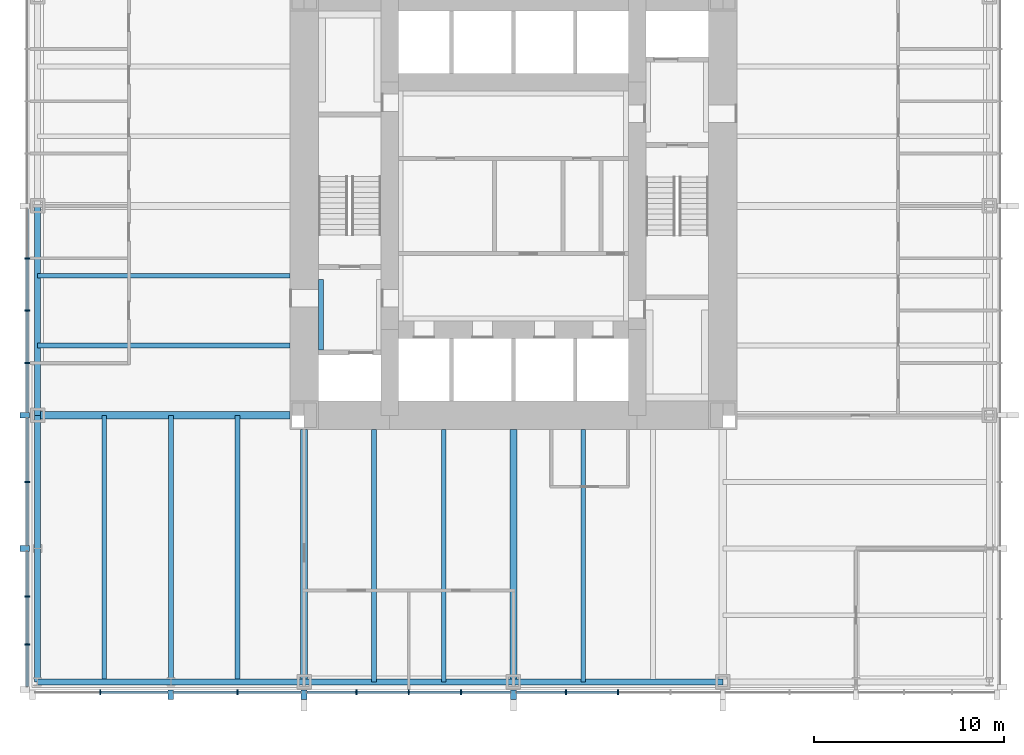
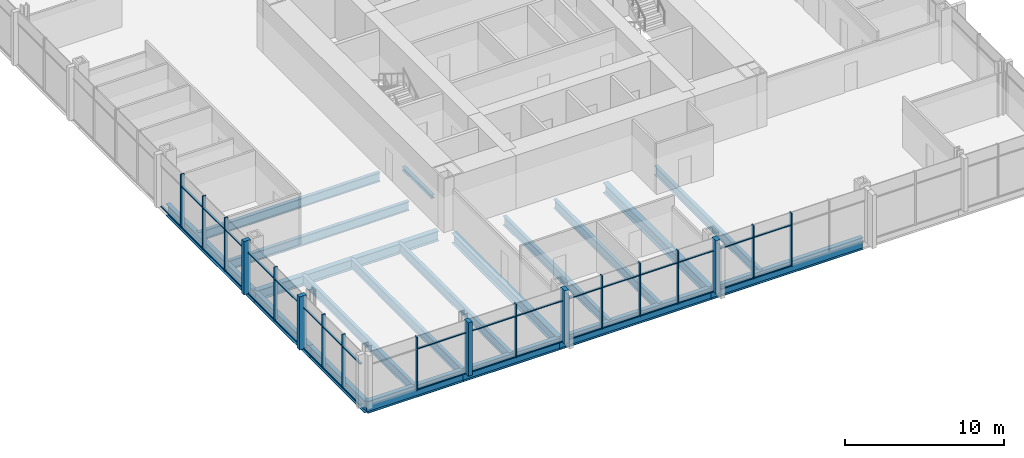
# One storey, part 2 of 13: 53 members, 19 beams, 2 elements without a shape of their own.
"""IFC4 building model written with IfcOpenShell, lengths in metres."""

from ifc_helpers import new_model, si_unit, direction, frame, origin, origin_2d, place, context, subcontext, project, spatial, rectangle, i_section, extrude, material, material_profile, profile_set, type_object, element, aggregate, save


model = new_model("IFC4")

# Units and contexts
model_context = context("Model", 3, precision=1e-05, world=origin(), true_north=direction((0.0, 1.0)))
body_context = subcontext(model_context, "Body", "Model", "MODEL_VIEW")
ifc_project = project(units=[si_unit("LENGTHUNIT", "METRE"), si_unit("AREAUNIT", "SQUARE_METRE"), si_unit("VOLUMEUNIT", "CUBIC_METRE"), si_unit("PLANEANGLEUNIT", "RADIAN"), si_unit("MASSUNIT", "GRAM", prefix="KILO")], contexts=[model_context])

# Site, building, storey
site_placement = place(None, origin())
site = spatial("IfcSite", under=ifc_project, at=site_placement, CompositionType="ELEMENT")
building_placement = place(site_placement, origin())
building = spatial("IfcBuilding", under=site, at=building_placement, Name="Trevanion Tower", CompositionType="ELEMENT")
storey_placement = place(building_placement, frame((0.0, 0.0, 81.60009765625)))
storey = spatial("IfcBuildingStorey", under=building, at=storey_placement, Name="L19", CompositionType="ELEMENT", Elevation=81.60009765625)

# Beams
ifc_material_1 = material(Name="Steel ASTM A992 Grade 50", Category="steel")
ifc_material_profile_1 = material_profile(ifc_material_1, i_section(OverallWidth=0.25390625, OverallDepth=0.700927734375, WebThickness=0.015380859375, FlangeThickness=0.02783203125, at=origin_2d()), Name="W27X129")
ifc_profile_set_1 = profile_set([ifc_material_profile_1], Name="Steel ASTM A992 Grade 50")
beam_type_1 = type_object("IfcBeamType", Name="B3 W27X129", PredefinedType="BEAM", material=ifc_profile_set_1)
for number, where, z_axis, x_axis, name in (
    (1, (-11.75, -3.666748046875, -0.54052734375), (-1.0, 0.0, 0.0), (0.0, -1.0, 0.0), "B3 L19"),
    (2, (-11.75, -7.333251953125, -0.54052734375), (-1.0, 0.0, 0.0), (0.0, -1.0, 0.0), "B3 L19"),
    (3, (-7.333251953125, -11.75, -0.54052734375), (0.0, -1.0, 0.0), (1.0, 0.0, 0.0), "B3 L19"),
    (4, (-3.666748046875, -11.75, -0.54052734375), (0.0, -1.0, 0.0), (1.0, 0.0, 0.0), "B3 L19"),
    (5, (3.666748046875, -11.75, -0.54052734375), (0.0, -1.0, 0.0), (1.0, 0.0, 0.0), "B3 L19"),
):
    element("IfcBeam", number, at=place(storey_placement, frame(where, z_axis=z_axis, x_axis=x_axis)), inside=storey, type_object=beam_type_1, Name=name, PredefinedType="BEAM", context=body_context, shape_type="SweptSolid", body=[
        extrude(i_section(OverallWidth=0.25390625, OverallDepth=0.700927734375, WebThickness=0.015380859375, FlangeThickness=0.02783203125, at=origin_2d()), origin(), (0.0, 0.0, 1.0), 13.25),
    ])
ifc_material_2 = material(Name="Steel ASTM A992 Grade 50", Category="steel")
ifc_material_profile_2 = material_profile(ifc_material_2, i_section(OverallWidth=0.256591796875, OverallDepth=0.693359375, WebThickness=0.014404296875, FlangeThickness=0.023681640625, at=origin_2d()), Name="W27X114")
ifc_profile_set_2 = profile_set([ifc_material_profile_2], Name="Steel ASTM A992 Grade 50")
beam_type_2 = type_object("IfcBeamType", Name="B4 W27X114", PredefinedType="BEAM", material=ifc_profile_set_2)
for number, where, z_axis, x_axis, name in (
    (6, (-14.5, -11.0, -0.536865234375), (0.0, -1.0, 0.0), (1.0, 0.0, 0.0), "B4 L19"),
    (7, (-18.0, -11.0, -0.536865234375), (0.0, -1.0, 0.0), (1.0, 0.0, 0.0), "B4 L19"),
    (8, (-21.5, -11.0, -0.536865234375), (0.0, -1.0, 0.0), (1.0, 0.0, 0.0), "B4 L19"),
):
    element("IfcBeam", number, at=place(storey_placement, frame(where, z_axis=z_axis, x_axis=x_axis)), inside=storey, type_object=beam_type_2, Name=name, PredefinedType="BEAM", context=body_context, shape_type="SweptSolid", body=[
        extrude(i_section(OverallWidth=0.256591796875, OverallDepth=0.693359375, WebThickness=0.014404296875, FlangeThickness=0.023681640625, at=origin_2d()), origin(), (0.0, 0.0, 1.0), 14.0),
    ])

# Curtain wall, members
ifc_material_3 = material(Name="Aluminium and glass", Category="aluminium")
curtain_wall_type = type_object("IfcCurtainWallType", Name="CW1 curtain wall", PredefinedType="USERDEFINED", material=ifc_material_3)
curtain_wall_1_placement = place(storey_placement, origin())
curtain_wall_1 = element("IfcCurtainWall", 9, at=curtain_wall_1_placement, inside=storey, type_object=curtain_wall_type, Name="CW1 L19 2", ObjectType="UNITISED CURTAIN WALL", PredefinedType="USERDEFINED")
ifc_material_4 = material(Name="Aluminium extrusion, anodised bronze", Category="aluminium")
ifc_material_profile_3 = material_profile(ifc_material_4, rectangle(XDim=0.074951171875, YDim=0.25, at=origin_2d()), Name="CW1 mullion")
ifc_profile_set_3 = profile_set([ifc_material_profile_3], Name="Aluminium extrusion, anodised bronze")
member_type_1 = type_object("IfcMemberType", Name="CW1 mullion", PredefinedType="MULLION", material=ifc_profile_set_3)
member_1_placement = place(storey_placement, frame((-25.550048828125, -2.75, -0.190185546875), z_axis=(0.0, 0.0, 1.0), x_axis=(0.0, -1.0, 0.0)))
member_1 = element("IfcMember", 10, at=member_1_placement, type_object=member_type_1, Name="CW1 mullion 10", PredefinedType="MULLION", context=body_context, shape_type="SweptSolid", body=[
    extrude(rectangle(XDim=0.074951171875, YDim=0.25, at=origin_2d()), origin(), (0.0, 0.0, 1.0), 4.10009765625),
])
member_2_placement = place(storey_placement, frame((-25.550048828125, -5.5, -0.190185546875), z_axis=(0.0, 0.0, 1.0), x_axis=(0.0, -1.0, 0.0)))
member_2 = element("IfcMember", 11, at=member_2_placement, type_object=member_type_1, Name="CW1 mullion 11", PredefinedType="MULLION", context=body_context, shape_type="SweptSolid", body=[
    extrude(rectangle(XDim=0.074951171875, YDim=0.25, at=origin_2d()), origin(), (0.0, 0.0, 1.0), 4.10009765625),
])
member_3_placement = place(storey_placement, frame((-25.550048828125, -8.25, -0.190185546875), z_axis=(0.0, 0.0, 1.0), x_axis=(0.0, -1.0, 0.0)))
member_3 = element("IfcMember", 12, at=member_3_placement, type_object=member_type_1, Name="CW1 mullion 12", PredefinedType="MULLION", context=body_context, shape_type="SweptSolid", body=[
    extrude(rectangle(XDim=0.074951171875, YDim=0.25, at=origin_2d()), origin(), (0.0, 0.0, 1.0), 4.10009765625),
])
member_4_placement = place(storey_placement, frame((-25.550048828125, -14.5, -0.190185546875), z_axis=(0.0, 0.0, 1.0), x_axis=(0.0, -1.0, 0.0)))
member_4 = element("IfcMember", 13, at=member_4_placement, type_object=member_type_1, Name="CW1 mullion 14", PredefinedType="MULLION", context=body_context, shape_type="SweptSolid", body=[
    extrude(rectangle(XDim=0.074951171875, YDim=0.25, at=origin_2d()), origin(), (0.0, 0.0, 1.0), 4.10009765625),
])
member_5_placement = place(storey_placement, frame((-25.550048828125, -20.5166015625, -0.190185546875), z_axis=(0.0, 0.0, 1.0), x_axis=(0.0, -1.0, 0.0)))
member_5 = element("IfcMember", 14, at=member_5_placement, type_object=member_type_1, Name="CW1 mullion 16", PredefinedType="MULLION", context=body_context, shape_type="SweptSolid", body=[
    extrude(rectangle(XDim=0.074951171875, YDim=0.25, at=origin_2d()), origin(), (0.0, 0.0, 1.0), 4.10009765625),
])
member_6_placement = place(storey_placement, frame((-25.550048828125, -23.033203125, -0.190185546875), z_axis=(0.0, 0.0, 1.0), x_axis=(0.0, -1.0, 0.0)))
member_6 = element("IfcMember", 15, at=member_6_placement, type_object=member_type_1, Name="CW1 mullion 17", PredefinedType="MULLION", context=body_context, shape_type="SweptSolid", body=[
    extrude(rectangle(XDim=0.074951171875, YDim=0.25, at=origin_2d()), origin(), (0.0, 0.0, 1.0), 4.10009765625),
])

curtain_wall_2_placement = place(storey_placement, origin())
curtain_wall_2 = element("IfcCurtainWall", 16, at=curtain_wall_2_placement, inside=storey, type_object=curtain_wall_type, Name="CW1 L19 3", ObjectType="UNITISED CURTAIN WALL", PredefinedType="USERDEFINED")
member_7_placement = place(storey_placement, frame((-21.7099609375, -25.550048828125, -0.190185546875), z_axis=(0.0, 0.0, 1.0), x_axis=(1.0, 0.0, 0.0)))
member_7 = element("IfcMember", 17, at=member_7_placement, type_object=member_type_1, Name="CW1 mullion 2", PredefinedType="MULLION", context=body_context, shape_type="SweptSolid", body=[
    extrude(rectangle(XDim=0.074951171875, YDim=0.25, at=origin_2d()), origin(), (0.0, 0.0, 1.0), 4.10009765625),
])
member_8_placement = place(storey_placement, frame((-14.5, -25.550048828125, -0.190185546875), z_axis=(0.0, 0.0, 1.0), x_axis=(1.0, 0.0, 0.0)))
member_8 = element("IfcMember", 18, at=member_8_placement, type_object=member_type_1, Name="CW1 mullion 4", PredefinedType="MULLION", context=body_context, shape_type="SweptSolid", body=[
    extrude(rectangle(XDim=0.074951171875, YDim=0.25, at=origin_2d()), origin(), (0.0, 0.0, 1.0), 4.10009765625),
])
member_9_placement = place(storey_placement, frame((-8.25, -25.550048828125, -0.190185546875), z_axis=(0.0, 0.0, 1.0), x_axis=(1.0, 0.0, 0.0)))
member_9 = element("IfcMember", 19, at=member_9_placement, type_object=member_type_1, Name="CW1 mullion 6", PredefinedType="MULLION", context=body_context, shape_type="SweptSolid", body=[
    extrude(rectangle(XDim=0.074951171875, YDim=0.25, at=origin_2d()), origin(), (0.0, 0.0, 1.0), 4.10009765625),
])
member_10_placement = place(storey_placement, frame((-5.5, -25.550048828125, -0.190185546875), z_axis=(0.0, 0.0, 1.0), x_axis=(1.0, 0.0, 0.0)))
member_10 = element("IfcMember", 20, at=member_10_placement, type_object=member_type_1, Name="CW1 mullion 7", PredefinedType="MULLION", context=body_context, shape_type="SweptSolid", body=[
    extrude(rectangle(XDim=0.074951171875, YDim=0.25, at=origin_2d()), origin(), (0.0, 0.0, 1.0), 4.10009765625),
])
member_11_placement = place(storey_placement, frame((-2.75, -25.550048828125, -0.190185546875), z_axis=(0.0, 0.0, 1.0), x_axis=(1.0, 0.0, 0.0)))
member_11 = element("IfcMember", 21, at=member_11_placement, type_object=member_type_1, Name="CW1 mullion 8", PredefinedType="MULLION", context=body_context, shape_type="SweptSolid", body=[
    extrude(rectangle(XDim=0.074951171875, YDim=0.25, at=origin_2d()), origin(), (0.0, 0.0, 1.0), 4.10009765625),
])
member_12_placement = place(storey_placement, frame((2.75, -25.550048828125, -0.190185546875), z_axis=(0.0, 0.0, 1.0), x_axis=(1.0, 0.0, 0.0)))
member_12 = element("IfcMember", 22, at=member_12_placement, type_object=member_type_1, Name="CW1 mullion 10", PredefinedType="MULLION", context=body_context, shape_type="SweptSolid", body=[
    extrude(rectangle(XDim=0.074951171875, YDim=0.25, at=origin_2d()), origin(), (0.0, 0.0, 1.0), 4.10009765625),
])
member_13_placement = place(storey_placement, frame((5.5, -25.550048828125, -0.190185546875), z_axis=(0.0, 0.0, 1.0), x_axis=(1.0, 0.0, 0.0)))
member_13 = element("IfcMember", 23, at=member_13_placement, type_object=member_type_1, Name="CW1 mullion 11", PredefinedType="MULLION", context=body_context, shape_type="SweptSolid", body=[
    extrude(rectangle(XDim=0.074951171875, YDim=0.25, at=origin_2d()), origin(), (0.0, 0.0, 1.0), 4.10009765625),
])

# Member
ifc_material_5 = material(Name="Aluminium extrusion, anodised bronze", Category="aluminium")
ifc_material_profile_4 = material_profile(ifc_material_5, rectangle(XDim=0.300048828125, YDim=0.5, at=origin_2d()), Name="CW1 pier mullion")
ifc_profile_set_4 = profile_set([ifc_material_profile_4], Name="Aluminium extrusion, anodised bronze")
member_type_2 = type_object("IfcMemberType", Name="CW1 pier mullion", PredefinedType="MULLION", material=ifc_profile_set_4)
member_14_placement = place(storey_placement, frame((-25.675048828125, -11.0, -0.190185546875), z_axis=(0.0, 0.0, 1.0), x_axis=(0.0, -1.0, 0.0)))
member_14 = element("IfcMember", 24, at=member_14_placement, type_object=member_type_2, Name="CW1 pier mullion 13", PredefinedType="MULLION", context=body_context, shape_type="SweptSolid", body=[
    extrude(rectangle(XDim=0.300048828125, YDim=0.5, at=origin_2d()), origin(), (0.0, 0.0, 1.0), 4.10009765625),
])

member_15_placement = place(storey_placement, frame((-25.675048828125, -18.0, -0.190185546875), z_axis=(0.0, 0.0, 1.0), x_axis=(0.0, -1.0, 0.0)))
member_15 = element("IfcMember", 25, at=member_15_placement, type_object=member_type_2, Name="CW1 pier mullion 15", PredefinedType="MULLION", context=body_context, shape_type="SweptSolid", body=[
    extrude(rectangle(XDim=0.300048828125, YDim=0.5, at=origin_2d()), origin(), (0.0, 0.0, 1.0), 4.10009765625),
])

member_16_placement = place(storey_placement, frame((-18.0, -25.675048828125, -0.190185546875), z_axis=(0.0, 0.0, 1.0), x_axis=(1.0, 0.0, 0.0)))
member_16 = element("IfcMember", 26, at=member_16_placement, type_object=member_type_2, Name="CW1 pier mullion 3", PredefinedType="MULLION", context=body_context, shape_type="SweptSolid", body=[
    extrude(rectangle(XDim=0.300048828125, YDim=0.5, at=origin_2d()), origin(), (0.0, 0.0, 1.0), 4.10009765625),
])

member_17_placement = place(storey_placement, frame((-11.0, -25.675048828125, -0.190185546875), z_axis=(0.0, 0.0, 1.0), x_axis=(1.0, 0.0, 0.0)))
member_17 = element("IfcMember", 27, at=member_17_placement, type_object=member_type_2, Name="CW1 pier mullion 5", PredefinedType="MULLION", context=body_context, shape_type="SweptSolid", body=[
    extrude(rectangle(XDim=0.300048828125, YDim=0.5, at=origin_2d()), origin(), (0.0, 0.0, 1.0), 4.10009765625),
])

member_18_placement = place(storey_placement, frame((0.0, -25.675048828125, -0.190185546875), z_axis=(0.0, 0.0, 1.0), x_axis=(1.0, 0.0, 0.0)))
member_18 = element("IfcMember", 28, at=member_18_placement, type_object=member_type_2, Name="CW1 pier mullion 9", PredefinedType="MULLION", context=body_context, shape_type="SweptSolid", body=[
    extrude(rectangle(XDim=0.300048828125, YDim=0.5, at=origin_2d()), origin(), (0.0, 0.0, 1.0), 4.10009765625),
])

ifc_material_6 = material(Name="Aluminium extrusion, anodised bronze", Category="aluminium")
ifc_material_profile_5 = material_profile(ifc_material_6, rectangle(XDim=0.14990234375, YDim=0.074951171875, at=origin_2d()), Name="CW1 transom")
ifc_profile_set_5 = profile_set([ifc_material_profile_5], Name="Aluminium extrusion, anodised bronze")
member_type_3 = type_object("IfcMemberType", Name="CW1 transom", PredefinedType="USERDEFINED", material=ifc_profile_set_5)
member_19_placement = place(storey_placement, frame((-25.550048828125, -0.14990234375, -0.152587890625), z_axis=(0.0, -1.0, 0.0), x_axis=(1.0, 0.0, 0.0)))
member_19 = element("IfcMember", 29, at=member_19_placement, type_object=member_type_3, Name="CW1 transom 9.1", ObjectType="TRANSOM", PredefinedType="USERDEFINED", context=body_context, shape_type="SweptSolid", body=[
    extrude(rectangle(XDim=0.14990234375, YDim=0.074951171875, at=origin_2d()), origin(), (0.0, 0.0, 1.0), 2.5625),
])

member_20_placement = place(storey_placement, frame((-25.550048828125, -2.78759765625, -0.152587890625), z_axis=(0.0, -1.0, 0.0), x_axis=(1.0, 0.0, 0.0)))
member_20 = element("IfcMember", 30, at=member_20_placement, type_object=member_type_3, Name="CW1 transom 10.1", ObjectType="TRANSOM", PredefinedType="USERDEFINED", context=body_context, shape_type="SweptSolid", body=[
    extrude(rectangle(XDim=0.14990234375, YDim=0.074951171875, at=origin_2d()), origin(), (0.0, 0.0, 1.0), 2.6748046875),
])

member_21_placement = place(storey_placement, frame((-25.550048828125, -2.78759765625, 2.9599609375), z_axis=(0.0, -1.0, 0.0), x_axis=(1.0, 0.0, 0.0)))
member_21 = element("IfcMember", 31, at=member_21_placement, type_object=member_type_3, Name="CW1 transom 10.2", ObjectType="TRANSOM", PredefinedType="USERDEFINED", context=body_context, shape_type="SweptSolid", body=[
    extrude(rectangle(XDim=0.14990234375, YDim=0.074951171875, at=origin_2d()), origin(), (0.0, 0.0, 1.0), 2.6748046875),
])

member_22_placement = place(storey_placement, frame((-25.550048828125, -5.53759765625, -0.152587890625), z_axis=(0.0, -1.0, 0.0), x_axis=(1.0, 0.0, 0.0)))
member_22 = element("IfcMember", 32, at=member_22_placement, type_object=member_type_3, Name="CW1 transom 11.1", ObjectType="TRANSOM", PredefinedType="USERDEFINED", context=body_context, shape_type="SweptSolid", body=[
    extrude(rectangle(XDim=0.14990234375, YDim=0.074951171875, at=origin_2d()), origin(), (0.0, 0.0, 1.0), 2.6748046875),
])

member_23_placement = place(storey_placement, frame((-25.550048828125, -5.53759765625, 2.9599609375), z_axis=(0.0, -1.0, 0.0), x_axis=(1.0, 0.0, 0.0)))
member_23 = element("IfcMember", 33, at=member_23_placement, type_object=member_type_3, Name="CW1 transom 11.2", ObjectType="TRANSOM", PredefinedType="USERDEFINED", context=body_context, shape_type="SweptSolid", body=[
    extrude(rectangle(XDim=0.14990234375, YDim=0.074951171875, at=origin_2d()), origin(), (0.0, 0.0, 1.0), 2.6748046875),
])

member_24_placement = place(storey_placement, frame((-25.550048828125, -8.28759765625, -0.152587890625), z_axis=(0.0, -1.0, 0.0), x_axis=(1.0, 0.0, 0.0)))
member_24 = element("IfcMember", 34, at=member_24_placement, type_object=member_type_3, Name="CW1 transom 12.1", ObjectType="TRANSOM", PredefinedType="USERDEFINED", context=body_context, shape_type="SweptSolid", body=[
    extrude(rectangle(XDim=0.14990234375, YDim=0.074951171875, at=origin_2d()), origin(), (0.0, 0.0, 1.0), 2.5625),
])

member_25_placement = place(storey_placement, frame((-25.550048828125, -8.28759765625, 2.9599609375), z_axis=(0.0, -1.0, 0.0), x_axis=(1.0, 0.0, 0.0)))
member_25 = element("IfcMember", 35, at=member_25_placement, type_object=member_type_3, Name="CW1 transom 12.2", ObjectType="TRANSOM", PredefinedType="USERDEFINED", context=body_context, shape_type="SweptSolid", body=[
    extrude(rectangle(XDim=0.14990234375, YDim=0.074951171875, at=origin_2d()), origin(), (0.0, 0.0, 1.0), 2.5625),
])

member_26_placement = place(storey_placement, frame((-25.550048828125, -11.14990234375, -0.152587890625), z_axis=(0.0, -1.0, 0.0), x_axis=(1.0, 0.0, 0.0)))
member_26 = element("IfcMember", 36, at=member_26_placement, type_object=member_type_3, Name="CW1 transom 13.1", ObjectType="TRANSOM", PredefinedType="USERDEFINED", context=body_context, shape_type="SweptSolid", body=[
    extrude(rectangle(XDim=0.14990234375, YDim=0.074951171875, at=origin_2d()), origin(), (0.0, 0.0, 1.0), 3.3125),
])

member_27_placement = place(storey_placement, frame((-25.550048828125, -11.14990234375, 2.9599609375), z_axis=(0.0, -1.0, 0.0), x_axis=(1.0, 0.0, 0.0)))
member_27 = element("IfcMember", 37, at=member_27_placement, type_object=member_type_3, Name="CW1 transom 13.2", ObjectType="TRANSOM", PredefinedType="USERDEFINED", context=body_context, shape_type="SweptSolid", body=[
    extrude(rectangle(XDim=0.14990234375, YDim=0.074951171875, at=origin_2d()), origin(), (0.0, 0.0, 1.0), 3.3125),
])

member_28_placement = place(storey_placement, frame((-25.550048828125, -14.53759765625, -0.152587890625), z_axis=(0.0, -1.0, 0.0), x_axis=(1.0, 0.0, 0.0)))
member_28 = element("IfcMember", 38, at=member_28_placement, type_object=member_type_3, Name="CW1 transom 14.1", ObjectType="TRANSOM", PredefinedType="USERDEFINED", context=body_context, shape_type="SweptSolid", body=[
    extrude(rectangle(XDim=0.14990234375, YDim=0.074951171875, at=origin_2d()), origin(), (0.0, 0.0, 1.0), 3.3125),
])

member_29_placement = place(storey_placement, frame((-25.550048828125, -14.53759765625, 2.9599609375), z_axis=(0.0, -1.0, 0.0), x_axis=(1.0, 0.0, 0.0)))
member_29 = element("IfcMember", 39, at=member_29_placement, type_object=member_type_3, Name="CW1 transom 14.2", ObjectType="TRANSOM", PredefinedType="USERDEFINED", context=body_context, shape_type="SweptSolid", body=[
    extrude(rectangle(XDim=0.14990234375, YDim=0.074951171875, at=origin_2d()), origin(), (0.0, 0.0, 1.0), 3.3125),
])

member_30_placement = place(storey_placement, frame((-25.550048828125, -18.14990234375, -0.152587890625), z_axis=(0.0, -1.0, 0.0), x_axis=(1.0, 0.0, 0.0)))
member_30 = element("IfcMember", 40, at=member_30_placement, type_object=member_type_3, Name="CW1 transom 15.1", ObjectType="TRANSOM", PredefinedType="USERDEFINED", context=body_context, shape_type="SweptSolid", body=[
    extrude(rectangle(XDim=0.14990234375, YDim=0.074951171875, at=origin_2d()), origin(), (0.0, 0.0, 1.0), 2.329345703125),
])

member_31_placement = place(storey_placement, frame((-25.550048828125, -18.14990234375, 2.9599609375), z_axis=(0.0, -1.0, 0.0), x_axis=(1.0, 0.0, 0.0)))
member_31 = element("IfcMember", 41, at=member_31_placement, type_object=member_type_3, Name="CW1 transom 15.2", ObjectType="TRANSOM", PredefinedType="USERDEFINED", context=body_context, shape_type="SweptSolid", body=[
    extrude(rectangle(XDim=0.14990234375, YDim=0.074951171875, at=origin_2d()), origin(), (0.0, 0.0, 1.0), 2.329345703125),
])

member_32_placement = place(storey_placement, frame((-25.550048828125, -20.55419921875, -0.152587890625), z_axis=(0.0, -1.0, 0.0), x_axis=(1.0, 0.0, 0.0)))
member_32 = element("IfcMember", 42, at=member_32_placement, type_object=member_type_3, Name="CW1 transom 16.1", ObjectType="TRANSOM", PredefinedType="USERDEFINED", context=body_context, shape_type="SweptSolid", body=[
    extrude(rectangle(XDim=0.14990234375, YDim=0.074951171875, at=origin_2d()), origin(), (0.0, 0.0, 1.0), 2.441650390625),
])

member_33_placement = place(storey_placement, frame((-25.550048828125, -20.55419921875, 2.9599609375), z_axis=(0.0, -1.0, 0.0), x_axis=(1.0, 0.0, 0.0)))
member_33 = element("IfcMember", 43, at=member_33_placement, type_object=member_type_3, Name="CW1 transom 16.2", ObjectType="TRANSOM", PredefinedType="USERDEFINED", context=body_context, shape_type="SweptSolid", body=[
    extrude(rectangle(XDim=0.14990234375, YDim=0.074951171875, at=origin_2d()), origin(), (0.0, 0.0, 1.0), 2.441650390625),
])

member_34_placement = place(storey_placement, frame((-25.550048828125, -23.07080078125, -0.152587890625), z_axis=(0.0, -1.0, 0.0), x_axis=(1.0, 0.0, 0.0)))
member_34 = element("IfcMember", 44, at=member_34_placement, type_object=member_type_3, Name="CW1 transom 17.1", ObjectType="TRANSOM", PredefinedType="USERDEFINED", context=body_context, shape_type="SweptSolid", body=[
    extrude(rectangle(XDim=0.14990234375, YDim=0.074951171875, at=origin_2d()), origin(), (0.0, 0.0, 1.0), 2.17919921875),
])

member_35_placement = place(storey_placement, frame((-25.550048828125, -23.07080078125, 2.9599609375), z_axis=(0.0, -1.0, 0.0), x_axis=(1.0, 0.0, 0.0)))
member_35 = element("IfcMember", 45, at=member_35_placement, type_object=member_type_3, Name="CW1 transom 17.2", ObjectType="TRANSOM", PredefinedType="USERDEFINED", context=body_context, shape_type="SweptSolid", body=[
    extrude(rectangle(XDim=0.14990234375, YDim=0.074951171875, at=origin_2d()), origin(), (0.0, 0.0, 1.0), 2.17919921875),
])

aggregate(curtain_wall_1, [member_1, member_2, member_3, member_14, member_4, member_15, member_5, member_6, member_19, member_20, member_21, member_22, member_23, member_24, member_25, member_26, member_27, member_28, member_29, member_30, member_31, member_32, member_33, member_34, member_35])

member_36_placement = place(storey_placement, frame((-21.672607421875, -25.550048828125, -0.152587890625), z_axis=(1.0, 0.0, 0.0), x_axis=(0.0, 1.0, 0.0)))
member_36 = element("IfcMember", 46, at=member_36_placement, type_object=member_type_3, Name="CW1 transom 2.1", ObjectType="TRANSOM", PredefinedType="USERDEFINED", context=body_context, shape_type="SweptSolid", body=[
    extrude(rectangle(XDim=0.14990234375, YDim=0.074951171875, at=origin_2d()), origin(), (0.0, 0.0, 1.0), 3.522705078125),
])

member_37_placement = place(storey_placement, frame((-21.672607421875, -25.550048828125, 2.9599609375), z_axis=(1.0, 0.0, 0.0), x_axis=(0.0, 1.0, 0.0)))
member_37 = element("IfcMember", 47, at=member_37_placement, type_object=member_type_3, Name="CW1 transom 2.2", ObjectType="TRANSOM", PredefinedType="USERDEFINED", context=body_context, shape_type="SweptSolid", body=[
    extrude(rectangle(XDim=0.14990234375, YDim=0.074951171875, at=origin_2d()), origin(), (0.0, 0.0, 1.0), 3.522705078125),
])

member_38_placement = place(storey_placement, frame((-17.85009765625, -25.550048828125, -0.152587890625), z_axis=(1.0, 0.0, 0.0), x_axis=(0.0, 1.0, 0.0)))
member_38 = element("IfcMember", 48, at=member_38_placement, type_object=member_type_3, Name="CW1 transom 3.1", ObjectType="TRANSOM", PredefinedType="USERDEFINED", context=body_context, shape_type="SweptSolid", body=[
    extrude(rectangle(XDim=0.14990234375, YDim=0.074951171875, at=origin_2d()), origin(), (0.0, 0.0, 1.0), 3.3125),
])

member_39_placement = place(storey_placement, frame((-17.85009765625, -25.550048828125, 2.9599609375), z_axis=(1.0, 0.0, 0.0), x_axis=(0.0, 1.0, 0.0)))
member_39 = element("IfcMember", 49, at=member_39_placement, type_object=member_type_3, Name="CW1 transom 3.2", ObjectType="TRANSOM", PredefinedType="USERDEFINED", context=body_context, shape_type="SweptSolid", body=[
    extrude(rectangle(XDim=0.14990234375, YDim=0.074951171875, at=origin_2d()), origin(), (0.0, 0.0, 1.0), 3.3125),
])

member_40_placement = place(storey_placement, frame((-14.46240234375, -25.550048828125, -0.152587890625), z_axis=(1.0, 0.0, 0.0), x_axis=(0.0, 1.0, 0.0)))
member_40 = element("IfcMember", 50, at=member_40_placement, type_object=member_type_3, Name="CW1 transom 4.1", ObjectType="TRANSOM", PredefinedType="USERDEFINED", context=body_context, shape_type="SweptSolid", body=[
    extrude(rectangle(XDim=0.14990234375, YDim=0.074951171875, at=origin_2d()), origin(), (0.0, 0.0, 1.0), 3.3125),
])

member_41_placement = place(storey_placement, frame((-14.46240234375, -25.550048828125, 2.9599609375), z_axis=(1.0, 0.0, 0.0), x_axis=(0.0, 1.0, 0.0)))
member_41 = element("IfcMember", 51, at=member_41_placement, type_object=member_type_3, Name="CW1 transom 4.2", ObjectType="TRANSOM", PredefinedType="USERDEFINED", context=body_context, shape_type="SweptSolid", body=[
    extrude(rectangle(XDim=0.14990234375, YDim=0.074951171875, at=origin_2d()), origin(), (0.0, 0.0, 1.0), 3.3125),
])

member_42_placement = place(storey_placement, frame((-10.85009765625, -25.550048828125, -0.152587890625), z_axis=(1.0, 0.0, 0.0), x_axis=(0.0, 1.0, 0.0)))
member_42 = element("IfcMember", 52, at=member_42_placement, type_object=member_type_3, Name="CW1 transom 5.1", ObjectType="TRANSOM", PredefinedType="USERDEFINED", context=body_context, shape_type="SweptSolid", body=[
    extrude(rectangle(XDim=0.14990234375, YDim=0.074951171875, at=origin_2d()), origin(), (0.0, 0.0, 1.0), 2.5625),
])

member_43_placement = place(storey_placement, frame((-10.85009765625, -25.550048828125, 2.9599609375), z_axis=(1.0, 0.0, 0.0), x_axis=(0.0, 1.0, 0.0)))
member_43 = element("IfcMember", 53, at=member_43_placement, type_object=member_type_3, Name="CW1 transom 5.2", ObjectType="TRANSOM", PredefinedType="USERDEFINED", context=body_context, shape_type="SweptSolid", body=[
    extrude(rectangle(XDim=0.14990234375, YDim=0.074951171875, at=origin_2d()), origin(), (0.0, 0.0, 1.0), 2.5625),
])

member_44_placement = place(storey_placement, frame((-8.21240234375, -25.550048828125, -0.152587890625), z_axis=(1.0, 0.0, 0.0), x_axis=(0.0, 1.0, 0.0)))
member_44 = element("IfcMember", 54, at=member_44_placement, type_object=member_type_3, Name="CW1 transom 6.1", ObjectType="TRANSOM", PredefinedType="USERDEFINED", context=body_context, shape_type="SweptSolid", body=[
    extrude(rectangle(XDim=0.14990234375, YDim=0.074951171875, at=origin_2d()), origin(), (0.0, 0.0, 1.0), 2.6748046875),
])

member_45_placement = place(storey_placement, frame((-8.21240234375, -25.550048828125, 2.9599609375), z_axis=(1.0, 0.0, 0.0), x_axis=(0.0, 1.0, 0.0)))
member_45 = element("IfcMember", 55, at=member_45_placement, type_object=member_type_3, Name="CW1 transom 6.2", ObjectType="TRANSOM", PredefinedType="USERDEFINED", context=body_context, shape_type="SweptSolid", body=[
    extrude(rectangle(XDim=0.14990234375, YDim=0.074951171875, at=origin_2d()), origin(), (0.0, 0.0, 1.0), 2.6748046875),
])

member_46_placement = place(storey_placement, frame((-5.46240234375, -25.550048828125, -0.152587890625), z_axis=(1.0, 0.0, 0.0), x_axis=(0.0, 1.0, 0.0)))
member_46 = element("IfcMember", 56, at=member_46_placement, type_object=member_type_3, Name="CW1 transom 7.1", ObjectType="TRANSOM", PredefinedType="USERDEFINED", context=body_context, shape_type="SweptSolid", body=[
    extrude(rectangle(XDim=0.14990234375, YDim=0.074951171875, at=origin_2d()), origin(), (0.0, 0.0, 1.0), 2.6748046875),
])

member_47_placement = place(storey_placement, frame((-5.46240234375, -25.550048828125, 2.9599609375), z_axis=(1.0, 0.0, 0.0), x_axis=(0.0, 1.0, 0.0)))
member_47 = element("IfcMember", 57, at=member_47_placement, type_object=member_type_3, Name="CW1 transom 7.2", ObjectType="TRANSOM", PredefinedType="USERDEFINED", context=body_context, shape_type="SweptSolid", body=[
    extrude(rectangle(XDim=0.14990234375, YDim=0.074951171875, at=origin_2d()), origin(), (0.0, 0.0, 1.0), 2.6748046875),
])

member_48_placement = place(storey_placement, frame((-2.71240234375, -25.550048828125, -0.152587890625), z_axis=(1.0, 0.0, 0.0), x_axis=(0.0, 1.0, 0.0)))
member_48 = element("IfcMember", 58, at=member_48_placement, type_object=member_type_3, Name="CW1 transom 8.1", ObjectType="TRANSOM", PredefinedType="USERDEFINED", context=body_context, shape_type="SweptSolid", body=[
    extrude(rectangle(XDim=0.14990234375, YDim=0.074951171875, at=origin_2d()), origin(), (0.0, 0.0, 1.0), 2.5625),
])

member_49_placement = place(storey_placement, frame((-2.71240234375, -25.550048828125, 2.9599609375), z_axis=(1.0, 0.0, 0.0), x_axis=(0.0, 1.0, 0.0)))
member_49 = element("IfcMember", 59, at=member_49_placement, type_object=member_type_3, Name="CW1 transom 8.2", ObjectType="TRANSOM", PredefinedType="USERDEFINED", context=body_context, shape_type="SweptSolid", body=[
    extrude(rectangle(XDim=0.14990234375, YDim=0.074951171875, at=origin_2d()), origin(), (0.0, 0.0, 1.0), 2.5625),
])

member_50_placement = place(storey_placement, frame((0.14990234375, -25.550048828125, -0.152587890625), z_axis=(1.0, 0.0, 0.0), x_axis=(0.0, 1.0, 0.0)))
member_50 = element("IfcMember", 60, at=member_50_placement, type_object=member_type_3, Name="CW1 transom 9.1", ObjectType="TRANSOM", PredefinedType="USERDEFINED", context=body_context, shape_type="SweptSolid", body=[
    extrude(rectangle(XDim=0.14990234375, YDim=0.074951171875, at=origin_2d()), origin(), (0.0, 0.0, 1.0), 2.5625),
])

member_51_placement = place(storey_placement, frame((0.14990234375, -25.550048828125, 2.9599609375), z_axis=(1.0, 0.0, 0.0), x_axis=(0.0, 1.0, 0.0)))
member_51 = element("IfcMember", 61, at=member_51_placement, type_object=member_type_3, Name="CW1 transom 9.2", ObjectType="TRANSOM", PredefinedType="USERDEFINED", context=body_context, shape_type="SweptSolid", body=[
    extrude(rectangle(XDim=0.14990234375, YDim=0.074951171875, at=origin_2d()), origin(), (0.0, 0.0, 1.0), 2.5625),
])

member_52_placement = place(storey_placement, frame((2.78759765625, -25.550048828125, -0.152587890625), z_axis=(1.0, 0.0, 0.0), x_axis=(0.0, 1.0, 0.0)))
member_52 = element("IfcMember", 62, at=member_52_placement, type_object=member_type_3, Name="CW1 transom 10.1", ObjectType="TRANSOM", PredefinedType="USERDEFINED", context=body_context, shape_type="SweptSolid", body=[
    extrude(rectangle(XDim=0.14990234375, YDim=0.074951171875, at=origin_2d()), origin(), (0.0, 0.0, 1.0), 2.6748046875),
])

member_53_placement = place(storey_placement, frame((2.78759765625, -25.550048828125, 2.9599609375), z_axis=(1.0, 0.0, 0.0), x_axis=(0.0, 1.0, 0.0)))
member_53 = element("IfcMember", 63, at=member_53_placement, type_object=member_type_3, Name="CW1 transom 10.2", ObjectType="TRANSOM", PredefinedType="USERDEFINED", context=body_context, shape_type="SweptSolid", body=[
    extrude(rectangle(XDim=0.14990234375, YDim=0.074951171875, at=origin_2d()), origin(), (0.0, 0.0, 1.0), 2.6748046875),
])

aggregate(curtain_wall_2, [member_7, member_16, member_8, member_17, member_9, member_10, member_11, member_18, member_12, member_13, member_36, member_37, member_38, member_39, member_40, member_41, member_42, member_43, member_44, member_45, member_46, member_47, member_48, member_49, member_50, member_51, member_52, member_53])

# Beams
ifc_material_7 = material(Name="Steel ASTM A992 Grade 50", Category="steel")
ifc_material_profile_6 = material_profile(ifc_material_7, i_section(OverallWidth=0.381103515625, OverallDepth=0.77978515625, WebThickness=0.01806640625, FlangeThickness=0.0302734375, at=origin_2d()), Name="W30X191")
ifc_profile_set_6 = profile_set([ifc_material_profile_6], Name="Steel ASTM A992 Grade 50")
beam_type_3 = type_object("IfcBeamType", Name="G2 W30X191", PredefinedType="BEAM", material=ifc_profile_set_6)
for number, where, z_axis, x_axis, name in (
    (64, (-11.75, -11.0, -0.580078125), (-1.0, 0.0, 0.0), (0.0, -1.0, 0.0), "G2 L19"),
    (65, (-11.0, -11.75, -0.580078125), (0.0, -1.0, 0.0), (1.0, 0.0, 0.0), "G2 L19"),
    (66, (0.0, -11.75, -0.580078125), (0.0, -1.0, 0.0), (1.0, 0.0, 0.0), "G2 L19"),
):
    element("IfcBeam", number, at=place(storey_placement, frame(where, z_axis=z_axis, x_axis=x_axis)), inside=storey, type_object=beam_type_3, Name=name, PredefinedType="BEAM", context=body_context, shape_type="SweptSolid", body=[
        extrude(i_section(OverallWidth=0.381103515625, OverallDepth=0.77978515625, WebThickness=0.01806640625, FlangeThickness=0.0302734375, at=origin_2d()), origin(), (0.0, 0.0, 1.0), 13.25),
    ])
ifc_material_8 = material(Name="Steel ASTM A992 Grade 50", Category="steel")
ifc_material_profile_7 = material_profile(ifc_material_8, i_section(OverallWidth=0.256591796875, OverallDepth=0.26416015625, WebThickness=0.011962890625, FlangeThickness=0.01953125, at=origin_2d()), Name="W10X68")
ifc_profile_set_7 = profile_set([ifc_material_profile_7], Name="Steel ASTM A992 Grade 50")
beam_type_4 = type_object("IfcBeamType", Name="LB1 W10X68", PredefinedType="BEAM", material=ifc_profile_set_7)
beam_1_placement = place(storey_placement, frame((-10.12158203125, -7.574951171875, -0.332275390625), z_axis=(0.0, 1.0, 0.0), x_axis=(-1.0, 0.0, 0.0)))
element("IfcBeam", 67, at=beam_1_placement, inside=storey, type_object=beam_type_4, Name="LB1 L19", PredefinedType="BEAM", context=body_context, shape_type="SweptSolid", body=[
    extrude(i_section(OverallWidth=0.256591796875, OverallDepth=0.26416015625, WebThickness=0.011962890625, FlangeThickness=0.01953125, at=origin_2d()), origin(), (0.0, 0.0, 1.0), 3.699951171875),
])
ifc_material_9 = material(Name="Steel ASTM A992 Grade 50", Category="steel")
ifc_material_profile_8 = material_profile(ifc_material_9, i_section(OverallWidth=0.307373046875, OverallDepth=0.927001953125, WebThickness=0.01953125, FlangeThickness=0.031982421875, at=origin_2d()), Name="W36X194")
ifc_profile_set_8 = profile_set([ifc_material_profile_8], Name="Steel ASTM A992 Grade 50")
beam_type_5 = type_object("IfcBeamType", Name="SB2 W36X194", PredefinedType="SPANDREL", material=ifc_profile_set_8)
beam_2_placement = place(storey_placement, frame((-25.0, 0.0, -0.65380859375), z_axis=(0.0, -1.0, 0.0), x_axis=(1.0, 0.0, 0.0)))
element("IfcBeam", 68, at=beam_2_placement, inside=storey, type_object=beam_type_5, Name="SB2 L19", PredefinedType="SPANDREL", context=body_context, shape_type="SweptSolid", body=[
    extrude(i_section(OverallWidth=0.307373046875, OverallDepth=0.927001953125, WebThickness=0.01953125, FlangeThickness=0.031982421875, at=origin_2d()), origin(), (0.0, 0.0, 1.0), 11.0),
])
for number, where, z_axis, x_axis, name in (
    (69, (-25.0, -11.0, -0.65380859375), (0.0, -1.0, 0.0), (1.0, 0.0, 0.0), "SB2 L19"),
    (70, (-25.0, -18.0, -0.65380859375), (0.0, -1.0, 0.0), (1.0, 0.0, 0.0), "SB2 L19"),
    (71, (-25.0, -25.0, -0.65380859375), (1.0, 0.0, 0.0), (0.0, 1.0, 0.0), "SB2 L19"),
    (72, (-18.0, -25.0, -0.65380859375), (1.0, 0.0, 0.0), (0.0, 1.0, 0.0), "SB2 L19"),
):
    element("IfcBeam", number, at=place(storey_placement, frame(where, z_axis=z_axis, x_axis=x_axis)), inside=storey, type_object=beam_type_5, Name=name, PredefinedType="SPANDREL", context=body_context, shape_type="SweptSolid", body=[
        extrude(i_section(OverallWidth=0.307373046875, OverallDepth=0.927001953125, WebThickness=0.01953125, FlangeThickness=0.031982421875, at=origin_2d()), origin(), (0.0, 0.0, 1.0), 7.0),
    ])
for number, where, z_axis, x_axis, name in (
    (73, (-11.0, -25.0, -0.65380859375), (1.0, 0.0, 0.0), (0.0, 1.0, 0.0), "SB2 L19"),
    (74, (0.0, -25.0, -0.65380859375), (1.0, 0.0, 0.0), (0.0, 1.0, 0.0), "SB2 L19"),
):
    element("IfcBeam", number, at=place(storey_placement, frame(where, z_axis=z_axis, x_axis=x_axis)), inside=storey, type_object=beam_type_5, Name=name, PredefinedType="SPANDREL", context=body_context, shape_type="SweptSolid", body=[
        extrude(i_section(OverallWidth=0.307373046875, OverallDepth=0.927001953125, WebThickness=0.01953125, FlangeThickness=0.031982421875, at=origin_2d()), origin(), (0.0, 0.0, 1.0), 11.0),
    ])

save(model, "model.ifc")
